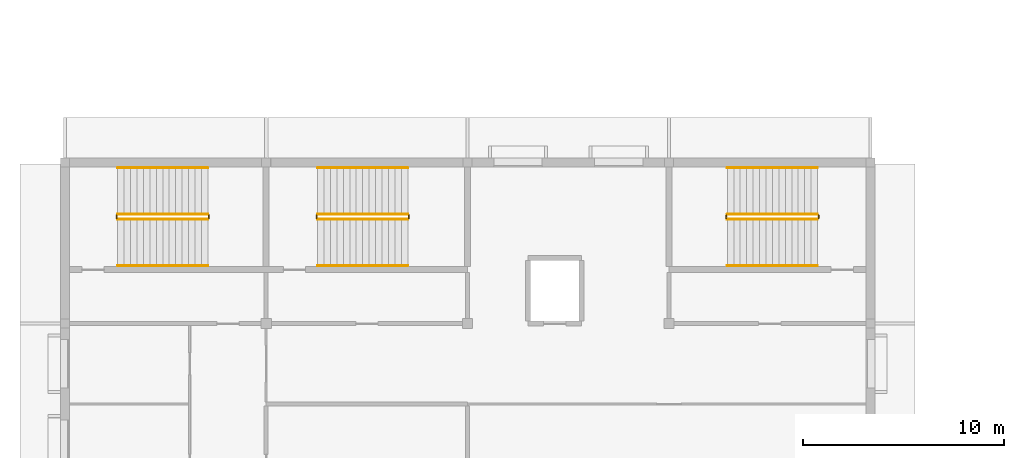
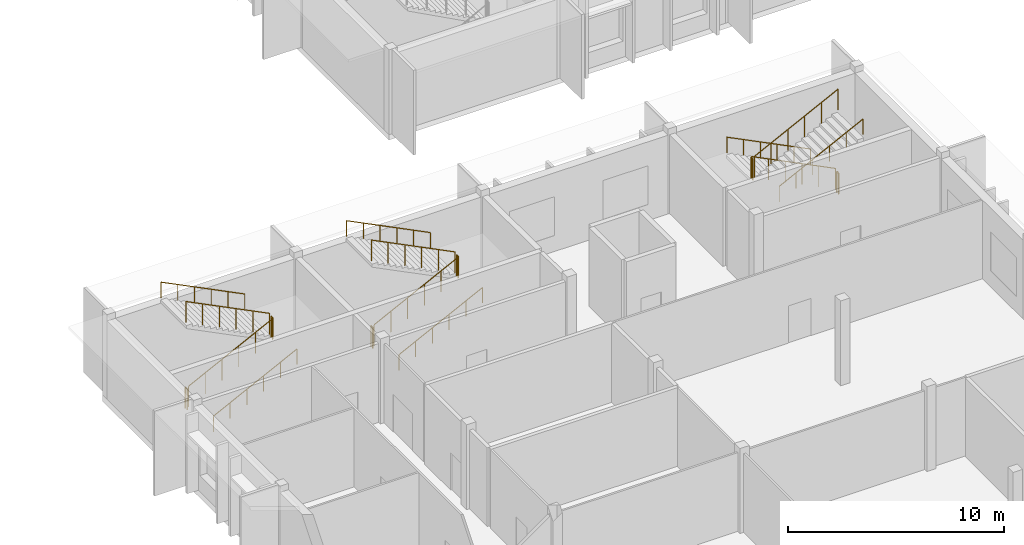
# One storey, part 169 of 182: 18 railings.
"""IFC4 building model written with IfcOpenShell, lengths in metres."""

from ifc_helpers import new_model, si_unit, direction, frame, origin, origin_2d, place, context, subcontext, project, spatial, circle, extrude, material, type_object, element, save


model = new_model("IFC4")

# Units and contexts
model_context = context("Model", 3, precision=1e-05, world=origin(), true_north=direction((0.0, 1.0)))
body_context = subcontext(model_context, "Body", "Model", "MODEL_VIEW")
ifc_project = project(units=[si_unit("LENGTHUNIT", "METRE"), si_unit("AREAUNIT", "SQUARE_METRE"), si_unit("VOLUMEUNIT", "CUBIC_METRE"), si_unit("PLANEANGLEUNIT", "RADIAN"), si_unit("MASSUNIT", "GRAM", prefix="KILO")], contexts=[model_context])

# Site, building, storey
site_placement = place(None, origin())
site = spatial("IfcSite", under=ifc_project, at=site_placement, CompositionType="ELEMENT")
building_placement = place(site_placement, origin())
building = spatial("IfcBuilding", under=site, at=building_placement, Name="Okhra Congress Centre", CompositionType="ELEMENT")
storey_placement = place(building_placement, frame((0.0, 0.0, 7.199951171875)))
storey = spatial("IfcBuildingStorey", under=building, at=storey_placement, Name="L01", CompositionType="ELEMENT", Elevation=7.199951171875)

# Railings
ifc_material_1 = material(Name="Painted steel tube handrail on wall brackets", Category="steel")
railing_type_1 = type_object("IfcRailingType", Name="Steel handrail 900", PredefinedType="HANDRAIL", material=ifc_material_1)
railing_1_placement = place(storey_placement, frame((8.625, 78.875, 0.16015625)))
element("IfcRailing", 1, at=railing_1_placement, inside=storey, type_object=railing_type_1, Name="L01 R1 stair handrail 1", PredefinedType="HANDRAIL", context=body_context, shape_type="SweptSolid", body=[
    extrude(circle(Radius=0.02392578125, at=origin_2d()), frame((0.0, 0.0, 0.8759765625), z_axis=(0.894427191, 0.0, 0.4472135955), x_axis=(0.0, 1.0, 0.0)), (0.0, 0.0, 1.0), 5.0087890625),
    extrude(circle(Radius=0.02099609375, at=origin_2d()), origin(), (0.0, 0.0, 1.0), 0.851806640625),
    extrude(circle(Radius=0.02099609375, at=origin_2d()), frame((0.89599609375, 0.0, 0.447998046875)), (0.0, 0.0, 1.0), 0.851806640625),
    extrude(circle(Radius=0.02099609375, at=origin_2d()), frame((1.7919921875, 0.0, 0.89599609375)), (0.0, 0.0, 1.0), 0.851806640625),
    extrude(circle(Radius=0.02099609375, at=origin_2d()), frame((2.68798828125, 0.0, 1.343994140625)), (0.0, 0.0, 1.0), 0.851806640625),
    extrude(circle(Radius=0.02099609375, at=origin_2d()), frame((3.583984375, 0.0, 1.7919921875)), (0.0, 0.0, 1.0), 0.851806640625),
    extrude(circle(Radius=0.02099609375, at=origin_2d()), frame((4.47998046875, 0.0, 2.239990234375)), (0.0, 0.0, 1.0), 0.851806640625),
])
railing_2_placement = place(storey_placement, frame((13.10498046875, 83.72509765625, 2.56005859375)))
element("IfcRailing", 2, at=railing_2_placement, inside=storey, type_object=railing_type_1, Name="L01 R1 stair handrail 2", PredefinedType="HANDRAIL", context=body_context, shape_type="SweptSolid", body=[
    extrude(circle(Radius=0.02392578125, at=origin_2d()), frame((0.0, 0.0, 0.8759765625), z_axis=(-0.894427191, 0.0, 0.4472135955), x_axis=(0.0, -1.0, 0.0)), (0.0, 0.0, 1.0), 5.0087890625),
    extrude(circle(Radius=0.02099609375, at=origin_2d()), origin(), (0.0, 0.0, 1.0), 0.851806640625),
    extrude(circle(Radius=0.02099609375, at=origin_2d()), frame((-0.89599609375, 0.0, 0.447998046875)), (0.0, 0.0, 1.0), 0.851806640625),
    extrude(circle(Radius=0.02099609375, at=origin_2d()), frame((-1.7919921875, 0.0, 0.89599609375)), (0.0, 0.0, 1.0), 0.851806640625),
    extrude(circle(Radius=0.02099609375, at=origin_2d()), frame((-2.68798828125, 0.0, 1.343994140625)), (0.0, 0.0, 1.0), 0.851806640625),
    extrude(circle(Radius=0.02099609375, at=origin_2d()), frame((-3.583984375, 0.0, 1.7919921875)), (0.0, 0.0, 1.0), 0.851806640625),
    extrude(circle(Radius=0.02099609375, at=origin_2d()), frame((-4.47998046875, 0.0, 2.239990234375)), (0.0, 0.0, 1.0), 0.851806640625),
])
railing_3_placement = place(storey_placement, frame((18.550048828125, 78.875, 0.16015625)))
element("IfcRailing", 3, at=railing_3_placement, inside=storey, type_object=railing_type_1, Name="L01 R3 stair handrail 1", PredefinedType="HANDRAIL", context=body_context, shape_type="SweptSolid", body=[
    extrude(circle(Radius=0.02392578125, at=origin_2d()), frame((0.0, 0.0, 0.8759765625), z_axis=(0.894427191, 0.0, 0.4472135955), x_axis=(0.0, 1.0, 0.0)), (0.0, 0.0, 1.0), 5.0087890625),
    extrude(circle(Radius=0.02099609375, at=origin_2d()), origin(), (0.0, 0.0, 1.0), 0.851806640625),
    extrude(circle(Radius=0.02099609375, at=origin_2d()), frame((0.89599609375, 0.0, 0.447998046875)), (0.0, 0.0, 1.0), 0.851806640625),
    extrude(circle(Radius=0.02099609375, at=origin_2d()), frame((1.7919921875, 0.0, 0.89599609375)), (0.0, 0.0, 1.0), 0.851806640625),
    extrude(circle(Radius=0.02099609375, at=origin_2d()), frame((2.68798828125, 0.0, 1.343994140625)), (0.0, 0.0, 1.0), 0.851806640625),
    extrude(circle(Radius=0.02099609375, at=origin_2d()), frame((3.583984375, 0.0, 1.7919921875)), (0.0, 0.0, 1.0), 0.851806640625),
    extrude(circle(Radius=0.02099609375, at=origin_2d()), frame((4.47998046875, 0.0, 2.239990234375)), (0.0, 0.0, 1.0), 0.851806640625),
])
for number, where, name in (
    (4, (23.030029296875, 83.72509765625, 2.56005859375), "L01 R3 stair handrail 2"),
    (5, (43.375, 83.72509765625, 0.16015625), "L01 R2 stair handrail 1"),
):
    element("IfcRailing", number, at=place(storey_placement, frame(where)), inside=storey, type_object=railing_type_1, Name=name, PredefinedType="HANDRAIL", context=body_context, shape_type="SweptSolid", body=[
        extrude(circle(Radius=0.02392578125, at=origin_2d()), frame((0.0, 0.0, 0.8759765625), z_axis=(-0.894427191, 0.0, 0.4472135955), x_axis=(0.0, -1.0, 0.0)), (0.0, 0.0, 1.0), 5.0087890625),
        extrude(circle(Radius=0.02099609375, at=origin_2d()), origin(), (0.0, 0.0, 1.0), 0.851806640625),
        extrude(circle(Radius=0.02099609375, at=origin_2d()), frame((-0.89599609375, 0.0, 0.447998046875)), (0.0, 0.0, 1.0), 0.851806640625),
        extrude(circle(Radius=0.02099609375, at=origin_2d()), frame((-1.7919921875, 0.0, 0.89599609375)), (0.0, 0.0, 1.0), 0.851806640625),
        extrude(circle(Radius=0.02099609375, at=origin_2d()), frame((-2.68798828125, 0.0, 1.343994140625)), (0.0, 0.0, 1.0), 0.851806640625),
        extrude(circle(Radius=0.02099609375, at=origin_2d()), frame((-3.583984375, 0.0, 1.7919921875)), (0.0, 0.0, 1.0), 0.851806640625),
        extrude(circle(Radius=0.02099609375, at=origin_2d()), frame((-4.47998046875, 0.0, 2.239990234375)), (0.0, 0.0, 1.0), 0.851806640625),
    ])
railing_4_placement = place(storey_placement, frame((38.89501953125, 78.875, 2.56005859375)))
element("IfcRailing", 6, at=railing_4_placement, inside=storey, type_object=railing_type_1, Name="L01 R2 stair handrail 2", PredefinedType="HANDRAIL", context=body_context, shape_type="SweptSolid", body=[
    extrude(circle(Radius=0.02392578125, at=origin_2d()), frame((0.0, 0.0, 0.8759765625), z_axis=(0.894427191, 0.0, 0.4472135955), x_axis=(0.0, 1.0, 0.0)), (0.0, 0.0, 1.0), 5.0087890625),
    extrude(circle(Radius=0.02099609375, at=origin_2d()), origin(), (0.0, 0.0, 1.0), 0.851806640625),
    extrude(circle(Radius=0.02099609375, at=origin_2d()), frame((0.89599609375, 0.0, 0.447998046875)), (0.0, 0.0, 1.0), 0.851806640625),
    extrude(circle(Radius=0.02099609375, at=origin_2d()), frame((1.7919921875, 0.0, 0.89599609375)), (0.0, 0.0, 1.0), 0.851806640625),
    extrude(circle(Radius=0.02099609375, at=origin_2d()), frame((2.68798828125, 0.0, 1.343994140625)), (0.0, 0.0, 1.0), 0.851806640625),
    extrude(circle(Radius=0.02099609375, at=origin_2d()), frame((3.583984375, 0.0, 1.7919921875)), (0.0, 0.0, 1.0), 0.851806640625),
    extrude(circle(Radius=0.02099609375, at=origin_2d()), frame((4.47998046875, 0.0, 2.239990234375)), (0.0, 0.0, 1.0), 0.851806640625),
])
ifc_material_2 = material(Name="Painted steel tube guard with vertical steel balusters", Category="steel")
railing_type_2 = type_object("IfcRailingType", Name="Steel stair guard 1200", PredefinedType="GUARDRAIL", material=ifc_material_2)
railing_5_placement = place(storey_placement, frame((8.625, 81.175048828125, 0.16015625)))
element("IfcRailing", 7, at=railing_5_placement, inside=storey, type_object=railing_type_2, Name="L01 R1 stair guard 1", PredefinedType="GUARDRAIL", context=body_context, shape_type="SweptSolid", body=[
    extrude(circle(Radius=0.02392578125, at=origin_2d()), frame((0.0, 0.0, 1.17578125), z_axis=(0.894427191, 0.0, 0.4472135955), x_axis=(0.0, 1.0, 0.0)), (0.0, 0.0, 1.0), 5.0087890625),
    extrude(circle(Radius=0.02099609375, at=origin_2d()), origin(), (0.0, 0.0, 1.0), 1.15185546875),
    extrude(circle(Radius=0.02099609375, at=origin_2d()), frame((0.89599609375, 0.0, 0.447998046875)), (0.0, 0.0, 1.0), 1.15185546875),
    extrude(circle(Radius=0.02099609375, at=origin_2d()), frame((1.7919921875, 0.0, 0.89599609375)), (0.0, 0.0, 1.0), 1.15185546875),
    extrude(circle(Radius=0.02099609375, at=origin_2d()), frame((2.68798828125, 0.0, 1.343994140625)), (0.0, 0.0, 1.0), 1.15185546875),
    extrude(circle(Radius=0.02099609375, at=origin_2d()), frame((3.583984375, 0.0, 1.7919921875)), (0.0, 0.0, 1.0), 1.15185546875),
    extrude(circle(Radius=0.02099609375, at=origin_2d()), frame((4.47998046875, 0.0, 2.239990234375)), (0.0, 0.0, 1.0), 1.15185546875),
])
railing_6_placement = place(storey_placement, frame((13.155029296875, 81.22509765625, 2.400146484375)))
element("IfcRailing", 8, at=railing_6_placement, inside=storey, type_object=railing_type_2, Name="L01 R1 stair guard 2", PredefinedType="GUARDRAIL", context=body_context, shape_type="SweptSolid", body=[
    extrude(circle(Radius=0.02392578125, at=origin_2d()), frame((0.0, 0.0, 1.17578125), z_axis=(0.0, 1.0, 0.0), x_axis=(-1.0, 0.0, 0.0)), (0.0, 0.0, 1.0), 0.14990234375),
    extrude(circle(Radius=0.02099609375, at=origin_2d()), origin(), (0.0, 0.0, 1.0), 1.15185546875),
    extrude(circle(Radius=0.02099609375, at=origin_2d()), frame((0.0, 0.14990234375, 0.0)), (0.0, 0.0, 1.0), 1.15185546875),
])
railing_7_placement = place(storey_placement, frame((13.10498046875, 81.425048828125, 2.56005859375)))
element("IfcRailing", 9, at=railing_7_placement, inside=storey, type_object=railing_type_2, Name="L01 R1 stair guard 3", PredefinedType="GUARDRAIL", context=body_context, shape_type="SweptSolid", body=[
    extrude(circle(Radius=0.02392578125, at=origin_2d()), frame((0.0, 0.0, 1.17578125), z_axis=(-0.894427191, 0.0, 0.4472135955), x_axis=(0.0, -1.0, 0.0)), (0.0, 0.0, 1.0), 5.0087890625),
    extrude(circle(Radius=0.02099609375, at=origin_2d()), origin(), (0.0, 0.0, 1.0), 1.15185546875),
    extrude(circle(Radius=0.02099609375, at=origin_2d()), frame((-0.89599609375, 0.0, 0.447998046875)), (0.0, 0.0, 1.0), 1.15185546875),
    extrude(circle(Radius=0.02099609375, at=origin_2d()), frame((-1.7919921875, 0.0, 0.89599609375)), (0.0, 0.0, 1.0), 1.15185546875),
    extrude(circle(Radius=0.02099609375, at=origin_2d()), frame((-2.68798828125, 0.0, 1.343994140625)), (0.0, 0.0, 1.0), 1.15185546875),
    extrude(circle(Radius=0.02099609375, at=origin_2d()), frame((-3.583984375, 0.0, 1.7919921875)), (0.0, 0.0, 1.0), 1.15185546875),
    extrude(circle(Radius=0.02099609375, at=origin_2d()), frame((-4.47998046875, 0.0, 2.239990234375)), (0.0, 0.0, 1.0), 1.15185546875),
])
railing_8_placement = place(storey_placement, frame((8.574951171875, 81.22509765625, 0.0)))
element("IfcRailing", 10, at=railing_8_placement, inside=storey, type_object=railing_type_2, Name="L01 R1 stair guard 4", PredefinedType="GUARDRAIL", context=body_context, shape_type="SweptSolid", body=[
    extrude(circle(Radius=0.02392578125, at=origin_2d()), frame((0.0, 0.0, 1.17578125), z_axis=(0.0, 1.0, 0.0), x_axis=(-1.0, 0.0, 0.0)), (0.0, 0.0, 1.0), 0.14990234375),
    extrude(circle(Radius=0.02099609375, at=origin_2d()), origin(), (0.0, 0.0, 1.0), 1.15185546875),
    extrude(circle(Radius=0.02099609375, at=origin_2d()), frame((0.0, 0.14990234375, 0.0)), (0.0, 0.0, 1.0), 1.15185546875),
])
railing_9_placement = place(storey_placement, frame((18.550048828125, 81.175048828125, 0.16015625)))
element("IfcRailing", 11, at=railing_9_placement, inside=storey, type_object=railing_type_2, Name="L01 R3 stair guard 1", PredefinedType="GUARDRAIL", context=body_context, shape_type="SweptSolid", body=[
    extrude(circle(Radius=0.02392578125, at=origin_2d()), frame((0.0, 0.0, 1.17578125), z_axis=(0.894427191, 0.0, 0.4472135955), x_axis=(0.0, 1.0, 0.0)), (0.0, 0.0, 1.0), 5.0087890625),
    extrude(circle(Radius=0.02099609375, at=origin_2d()), origin(), (0.0, 0.0, 1.0), 1.15185546875),
    extrude(circle(Radius=0.02099609375, at=origin_2d()), frame((0.89599609375, 0.0, 0.447998046875)), (0.0, 0.0, 1.0), 1.15185546875),
    extrude(circle(Radius=0.02099609375, at=origin_2d()), frame((1.7919921875, 0.0, 0.89599609375)), (0.0, 0.0, 1.0), 1.15185546875),
    extrude(circle(Radius=0.02099609375, at=origin_2d()), frame((2.68798828125, 0.0, 1.343994140625)), (0.0, 0.0, 1.0), 1.15185546875),
    extrude(circle(Radius=0.02099609375, at=origin_2d()), frame((3.583984375, 0.0, 1.7919921875)), (0.0, 0.0, 1.0), 1.15185546875),
    extrude(circle(Radius=0.02099609375, at=origin_2d()), frame((4.47998046875, 0.0, 2.239990234375)), (0.0, 0.0, 1.0), 1.15185546875),
])
railing_10_placement = place(storey_placement, frame((23.080078125, 81.22509765625, 2.400146484375)))
element("IfcRailing", 12, at=railing_10_placement, inside=storey, type_object=railing_type_2, Name="L01 R3 stair guard 2", PredefinedType="GUARDRAIL", context=body_context, shape_type="SweptSolid", body=[
    extrude(circle(Radius=0.02392578125, at=origin_2d()), frame((0.0, 0.0, 1.17578125), z_axis=(0.0, 1.0, 0.0), x_axis=(-1.0, 0.0, 0.0)), (0.0, 0.0, 1.0), 0.14990234375),
    extrude(circle(Radius=0.02099609375, at=origin_2d()), origin(), (0.0, 0.0, 1.0), 1.15185546875),
    extrude(circle(Radius=0.02099609375, at=origin_2d()), frame((0.0, 0.14990234375, 0.0)), (0.0, 0.0, 1.0), 1.15185546875),
])
railing_11_placement = place(storey_placement, frame((23.030029296875, 81.425048828125, 2.56005859375)))
element("IfcRailing", 13, at=railing_11_placement, inside=storey, type_object=railing_type_2, Name="L01 R3 stair guard 3", PredefinedType="GUARDRAIL", context=body_context, shape_type="SweptSolid", body=[
    extrude(circle(Radius=0.02392578125, at=origin_2d()), frame((0.0, 0.0, 1.17578125), z_axis=(-0.894427191, 0.0, 0.4472135955), x_axis=(0.0, -1.0, 0.0)), (0.0, 0.0, 1.0), 5.0087890625),
    extrude(circle(Radius=0.02099609375, at=origin_2d()), origin(), (0.0, 0.0, 1.0), 1.15185546875),
    extrude(circle(Radius=0.02099609375, at=origin_2d()), frame((-0.89599609375, 0.0, 0.447998046875)), (0.0, 0.0, 1.0), 1.15185546875),
    extrude(circle(Radius=0.02099609375, at=origin_2d()), frame((-1.7919921875, 0.0, 0.89599609375)), (0.0, 0.0, 1.0), 1.15185546875),
    extrude(circle(Radius=0.02099609375, at=origin_2d()), frame((-2.68798828125, 0.0, 1.343994140625)), (0.0, 0.0, 1.0), 1.15185546875),
    extrude(circle(Radius=0.02099609375, at=origin_2d()), frame((-3.583984375, 0.0, 1.7919921875)), (0.0, 0.0, 1.0), 1.15185546875),
    extrude(circle(Radius=0.02099609375, at=origin_2d()), frame((-4.47998046875, 0.0, 2.239990234375)), (0.0, 0.0, 1.0), 1.15185546875),
])
railing_12_placement = place(storey_placement, frame((18.5, 81.22509765625, 0.0)))
element("IfcRailing", 14, at=railing_12_placement, inside=storey, type_object=railing_type_2, Name="L01 R3 stair guard 4", PredefinedType="GUARDRAIL", context=body_context, shape_type="SweptSolid", body=[
    extrude(circle(Radius=0.02392578125, at=origin_2d()), frame((0.0, 0.0, 1.17578125), z_axis=(0.0, 1.0, 0.0), x_axis=(-1.0, 0.0, 0.0)), (0.0, 0.0, 1.0), 0.14990234375),
    extrude(circle(Radius=0.02099609375, at=origin_2d()), origin(), (0.0, 0.0, 1.0), 1.15185546875),
    extrude(circle(Radius=0.02099609375, at=origin_2d()), frame((0.0, 0.14990234375, 0.0)), (0.0, 0.0, 1.0), 1.15185546875),
])
railing_13_placement = place(storey_placement, frame((43.375, 81.425048828125, 0.16015625)))
element("IfcRailing", 15, at=railing_13_placement, inside=storey, type_object=railing_type_2, Name="L01 R2 stair guard 1", PredefinedType="GUARDRAIL", context=body_context, shape_type="SweptSolid", body=[
    extrude(circle(Radius=0.02392578125, at=origin_2d()), frame((0.0, 0.0, 1.17578125), z_axis=(-0.894427191, 0.0, 0.4472135955), x_axis=(0.0, -1.0, 0.0)), (0.0, 0.0, 1.0), 5.0087890625),
    extrude(circle(Radius=0.02099609375, at=origin_2d()), origin(), (0.0, 0.0, 1.0), 1.15185546875),
    extrude(circle(Radius=0.02099609375, at=origin_2d()), frame((-0.89599609375, 0.0, 0.447998046875)), (0.0, 0.0, 1.0), 1.15185546875),
    extrude(circle(Radius=0.02099609375, at=origin_2d()), frame((-1.7919921875, 0.0, 0.89599609375)), (0.0, 0.0, 1.0), 1.15185546875),
    extrude(circle(Radius=0.02099609375, at=origin_2d()), frame((-2.68798828125, 0.0, 1.343994140625)), (0.0, 0.0, 1.0), 1.15185546875),
    extrude(circle(Radius=0.02099609375, at=origin_2d()), frame((-3.583984375, 0.0, 1.7919921875)), (0.0, 0.0, 1.0), 1.15185546875),
    extrude(circle(Radius=0.02099609375, at=origin_2d()), frame((-4.47998046875, 0.0, 2.239990234375)), (0.0, 0.0, 1.0), 1.15185546875),
])
railing_14_placement = place(storey_placement, frame((38.844970703125, 81.375, 2.400146484375)))
element("IfcRailing", 16, at=railing_14_placement, inside=storey, type_object=railing_type_2, Name="L01 R2 stair guard 2", PredefinedType="GUARDRAIL", context=body_context, shape_type="SweptSolid", body=[
    extrude(circle(Radius=0.02392578125, at=origin_2d()), frame((0.0, 0.0, 1.17578125), z_axis=(0.0, -1.0, 0.0), x_axis=(1.0, 0.0, 0.0)), (0.0, 0.0, 1.0), 0.14990234375),
    extrude(circle(Radius=0.02099609375, at=origin_2d()), origin(), (0.0, 0.0, 1.0), 1.15185546875),
    extrude(circle(Radius=0.02099609375, at=origin_2d()), frame((0.0, -0.14990234375, 0.0)), (0.0, 0.0, 1.0), 1.15185546875),
])
railing_15_placement = place(storey_placement, frame((38.89501953125, 81.175048828125, 2.56005859375)))
element("IfcRailing", 17, at=railing_15_placement, inside=storey, type_object=railing_type_2, Name="L01 R2 stair guard 3", PredefinedType="GUARDRAIL", context=body_context, shape_type="SweptSolid", body=[
    extrude(circle(Radius=0.02392578125, at=origin_2d()), frame((0.0, 0.0, 1.17578125), z_axis=(0.894427191, 0.0, 0.4472135955), x_axis=(0.0, 1.0, 0.0)), (0.0, 0.0, 1.0), 5.0087890625),
    extrude(circle(Radius=0.02099609375, at=origin_2d()), origin(), (0.0, 0.0, 1.0), 1.15185546875),
    extrude(circle(Radius=0.02099609375, at=origin_2d()), frame((0.89599609375, 0.0, 0.447998046875)), (0.0, 0.0, 1.0), 1.15185546875),
    extrude(circle(Radius=0.02099609375, at=origin_2d()), frame((1.7919921875, 0.0, 0.89599609375)), (0.0, 0.0, 1.0), 1.15185546875),
    extrude(circle(Radius=0.02099609375, at=origin_2d()), frame((2.68798828125, 0.0, 1.343994140625)), (0.0, 0.0, 1.0), 1.15185546875),
    extrude(circle(Radius=0.02099609375, at=origin_2d()), frame((3.583984375, 0.0, 1.7919921875)), (0.0, 0.0, 1.0), 1.15185546875),
    extrude(circle(Radius=0.02099609375, at=origin_2d()), frame((4.47998046875, 0.0, 2.239990234375)), (0.0, 0.0, 1.0), 1.15185546875),
])
railing_16_placement = place(storey_placement, frame((43.425048828125, 81.375, 0.0)))
element("IfcRailing", 18, at=railing_16_placement, inside=storey, type_object=railing_type_2, Name="L01 R2 stair guard 4", PredefinedType="GUARDRAIL", context=body_context, shape_type="SweptSolid", body=[
    extrude(circle(Radius=0.02392578125, at=origin_2d()), frame((0.0, 0.0, 1.17578125), z_axis=(0.0, -1.0, 0.0), x_axis=(1.0, 0.0, 0.0)), (0.0, 0.0, 1.0), 0.14990234375),
    extrude(circle(Radius=0.02099609375, at=origin_2d()), origin(), (0.0, 0.0, 1.0), 1.15185546875),
    extrude(circle(Radius=0.02099609375, at=origin_2d()), frame((0.0, -0.14990234375, 0.0)), (0.0, 0.0, 1.0), 1.15185546875),
])

save(model, "model.ifc")
